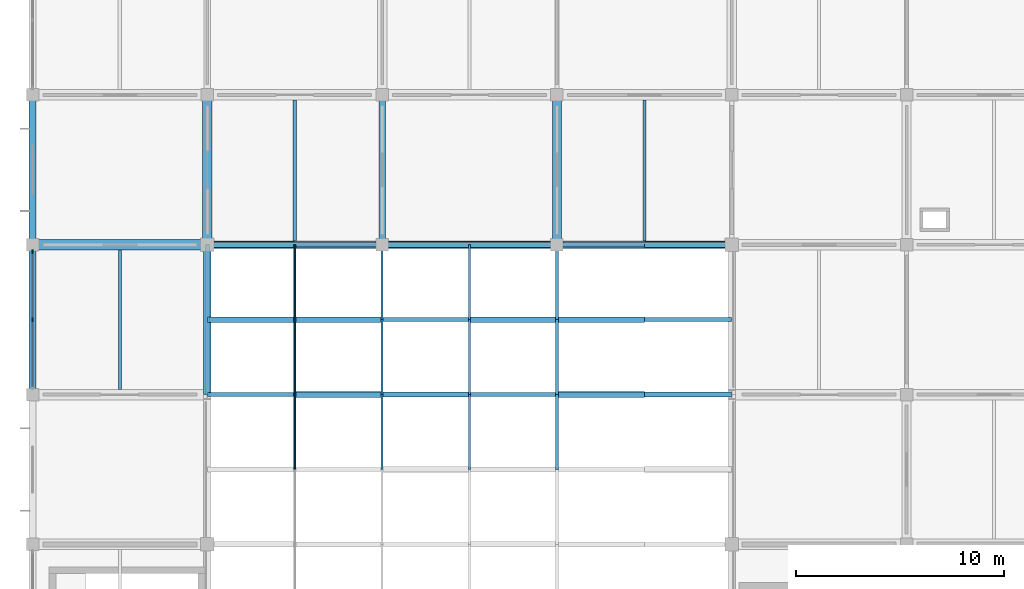
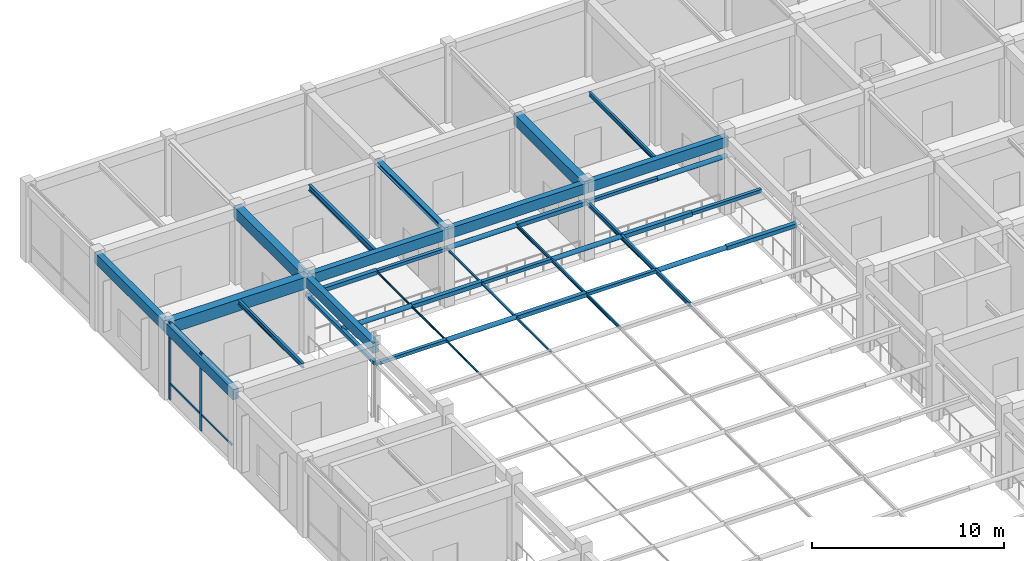
# One storey, part 10 of 38: 35 members, 13 beams, 1 element without a shape of its own.
"""IFC4 building model written with IfcOpenShell, lengths in metres."""

from ifc_helpers import new_model, si_unit, derived_unit, direction, frame, origin, origin_2d, place, context, subcontext, project, spatial, rectangle, hollow_rectangle, hollow_circle, i_section, extrude, material, material_profile, profile_set, type_object, element, aggregate, save


model = new_model("IFC4")

# Units and contexts
model_context = context("Model", 3, precision=1e-05, world=origin(), true_north=direction((0.0, 1.0)))
body_context = subcontext(model_context, "Body", "Model", "MODEL_VIEW")
ifc_project = project(units=[si_unit("LENGTHUNIT", "METRE"), si_unit("AREAUNIT", "SQUARE_METRE"), si_unit("VOLUMEUNIT", "CUBIC_METRE"), si_unit("PLANEANGLEUNIT", "RADIAN"), si_unit("MASSUNIT", "GRAM", prefix="KILO"), derived_unit("THERMALTRANSMITTANCEUNIT", [(si_unit("MASSUNIT", "GRAM", prefix="KILO"), 1), (si_unit("TIMEUNIT", "SECOND"), -3), (si_unit("THERMODYNAMICTEMPERATUREUNIT", "KELVIN"), -1)])], contexts=[model_context])

# Site, building, storey
site_placement = place(None, origin())
site = spatial("IfcSite", under=ifc_project, at=site_placement, CompositionType="ELEMENT")
building_placement = place(site_placement, origin())
building = spatial("IfcBuilding", under=site, at=building_placement, Name="Veldstrom Oceanarium and Marine Research Institute", CompositionType="ELEMENT")
storey_placement = place(building_placement, frame((0.0, 0.0, 16.800048828125)))
storey = spatial("IfcBuildingStorey", under=building, at=storey_placement, Name="L03", CompositionType="ELEMENT", Elevation=16.800048828125)

# Curtain wall, members
ifc_material_1 = material(Name="Anodised Aluminium Framing", Category="aluminium")
curtain_wall_type = type_object("IfcCurtainWallType", Name="ARC-CW-CW06", PredefinedType="USERDEFINED", material=ifc_material_1)
curtain_wall_placement = place(storey_placement, origin())
curtain_wall = element("IfcCurtainWall", 1, at=curtain_wall_placement, inside=storey, type_object=curtain_wall_type, Name="Curtain Wall CW06 CW-L03-047", ObjectType="Curtain wall", PredefinedType="USERDEFINED")
ifc_material_2 = material(Name="Anodised Aluminium Framing", Category="aluminium")
ifc_material_profile_1 = material_profile(ifc_material_2, rectangle(XDim=0.074951171875, YDim=0.179931640625, at=origin_2d()), Name="ALU-MUL-75x180")
ifc_profile_set_1 = profile_set([ifc_material_profile_1], Name="Anodised Aluminium Framing")
member_type_1 = type_object("IfcMemberType", Name="ARC-MUL-ML1", PredefinedType="MULLION", material=ifc_profile_set_1)
member_1_placement = place(storey_placement, frame((8.39990234375, 54.0, 0.0), z_axis=(0.0, 0.0, 1.0), x_axis=(1.0, 0.0, 0.0)))
member_1 = element("IfcMember", 2, at=member_1_placement, type_object=member_type_1, Name="Curtain Wall Mullion CW-L03-047-MUL-2", PredefinedType="MULLION", context=body_context, shape_type="SweptSolid", body=[
    extrude(rectangle(XDim=0.074951171875, YDim=0.179931640625, at=origin_2d()), origin(), (0.0, 0.0, 1.0), 4.949951171875),
])
member_2_placement = place(storey_placement, frame((8.39990234375, 57.260009765625, 0.0), z_axis=(0.0, 0.0, 1.0), x_axis=(1.0, 0.0, 0.0)))
member_2 = element("IfcMember", 3, at=member_2_placement, type_object=member_type_1, Name="Curtain Wall Mullion CW-L03-047-MUL-3", PredefinedType="MULLION", context=body_context, shape_type="SweptSolid", body=[
    extrude(rectangle(XDim=0.074951171875, YDim=0.179931640625, at=origin_2d()), origin(), (0.0, 0.0, 1.0), 4.949951171875),
])
ifc_material_3 = material(Name="Anodised Aluminium Framing", Category="aluminium")
ifc_material_profile_2 = material_profile(ifc_material_3, rectangle(XDim=0.06494140625, YDim=0.1201171875, at=origin_2d()), Name="ALU-TRN-65x120")
ifc_profile_set_2 = profile_set([ifc_material_profile_2], Name="Anodised Aluminium Framing")
member_type_2 = type_object("IfcMemberType", Name="ARC-TRN-TR2", PredefinedType="USERDEFINED", material=ifc_profile_set_2)
member_3_placement = place(storey_placement, frame((8.39990234375, 50.780029296875, 1.050048828125), z_axis=(0.0, 1.0, 0.0), x_axis=(-1.0, 0.0, 0.0)))
member_3 = element("IfcMember", 4, at=member_3_placement, type_object=member_type_2, Name="Curtain Wall Transom CW-L03-047-TRN-1", ObjectType="Transom", PredefinedType="USERDEFINED", context=body_context, shape_type="SweptSolid", body=[
    extrude(rectangle(XDim=0.06494140625, YDim=0.1201171875, at=origin_2d()), origin(), (0.0, 0.0, 1.0), 3.179931640625),
])
member_4_placement = place(storey_placement, frame((8.39990234375, 54.0400390625, 1.050048828125), z_axis=(0.0, 1.0, 0.0), x_axis=(-1.0, 0.0, 0.0)))
member_4 = element("IfcMember", 5, at=member_4_placement, type_object=member_type_2, Name="Curtain Wall Transom CW-L03-047-TRN-2", ObjectType="Transom", PredefinedType="USERDEFINED", context=body_context, shape_type="SweptSolid", body=[
    extrude(rectangle(XDim=0.06494140625, YDim=0.1201171875, at=origin_2d()), origin(), (0.0, 0.0, 1.0), 3.179931640625),
])
aggregate(curtain_wall, [member_1, member_2, member_3, member_4])

# Beams
ifc_material_4 = material(Name="Concrete C40/50", Category="concrete")
ifc_material_profile_3 = material_profile(ifc_material_4, rectangle(XDim=0.5, YDim=0.75, at=origin_2d()), Name="RC-BM-500x750")
ifc_profile_set_3 = profile_set([ifc_material_profile_3], Name="Concrete C40/50")
beam_type_1 = type_object("IfcBeamType", Name="STR-BM-B03", PredefinedType="BEAM", material=ifc_profile_set_3)
beam_1_placement = place(storey_placement, frame((8.39990234375, 57.60009765625, 4.445068359375), z_axis=(1.0, 0.0, 0.0), x_axis=(0.0, 1.0, 0.0)))
element("IfcBeam", 6, at=beam_1_placement, inside=storey, type_object=beam_type_1, Name="Primary Beam B03 L03-1846", PredefinedType="BEAM", context=body_context, shape_type="SweptSolid", body=[
    extrude(rectangle(XDim=0.5, YDim=0.75, at=origin_2d()), origin(), (0.0, 0.0, 1.0), 8.400146484375),
])
ifc_material_5 = material(Name="Concrete C40/50", Category="concrete")
ifc_material_profile_4 = material_profile(ifc_material_5, rectangle(XDim=0.449951171875, YDim=0.699951171875, at=origin_2d()), Name="RC-BM-450x700")
ifc_profile_set_4 = profile_set([ifc_material_profile_4], Name="Concrete C40/50")
beam_type_2 = type_object("IfcBeamType", Name="STR-BM-B04", PredefinedType="BEAM", material=ifc_profile_set_4)
for number, where, z_axis, x_axis, name in (
    (7, (16.800048828125, 57.60009765625, 4.469970703125), (0.0, 1.0, 0.0), (-1.0, 0.0, 0.0), "Primary Beam B04 L03-1964"),
    (8, (33.60009765625, 57.60009765625, 4.469970703125), (0.0, 1.0, 0.0), (-1.0, 0.0, 0.0), "Primary Beam B04 L03-1970"),
):
    element("IfcBeam", number, at=place(storey_placement, frame(where, z_axis=z_axis, x_axis=x_axis)), inside=storey, type_object=beam_type_2, Name=name, PredefinedType="BEAM", context=body_context, shape_type="SweptSolid", body=[
        extrude(rectangle(XDim=0.449951171875, YDim=0.699951171875, at=origin_2d()), origin(), (0.0, 0.0, 1.0), 7.199951171875),
    ])
ifc_material_6 = material(Name="Steel S355JR", Category="steel")
ifc_material_profile_5 = material_profile(ifc_material_6, i_section(OverallWidth=0.300048828125, OverallDepth=0.2900390625, WebThickness=0.008544921875, FlangeThickness=0.013916015625, FilletRadius=0.027099609375, at=origin_2d()), Name="HEA 300")
ifc_profile_set_5 = profile_set([ifc_material_profile_5], Name="Steel S355JR")
beam_type_3 = type_object("IfcBeamType", Name="STR-BM-SB10", PredefinedType="BEAM", material=ifc_profile_set_5)
beam_2_placement = place(storey_placement, frame((25.199951171875, 57.60009765625, 4.675048828125), z_axis=(0.0, 1.0, 0.0), x_axis=(-1.0, 0.0, 0.0)))
element("IfcBeam", 9, at=beam_2_placement, inside=storey, type_object=beam_type_3, Name="Steel Tie Beam SB10 L03-1967", PredefinedType="BEAM", context=body_context, shape_type="SweptSolid", body=[
    extrude(i_section(OverallWidth=0.300048828125, OverallDepth=0.2900390625, WebThickness=0.008544921875, FlangeThickness=0.013916015625, FilletRadius=0.027099609375, at=origin_2d()), origin(), (0.0, 0.0, 1.0), 7.199951171875),
])
ifc_material_7 = material(Name="Steel S355JR", Category="steel")
ifc_material_profile_6 = material_profile(ifc_material_7, i_section(OverallWidth=0.169921875, OverallDepth=0.360107421875, WebThickness=0.008056640625, FlangeThickness=0.0126953125, FilletRadius=0.01806640625, at=origin_2d()), Name="IPE 360")
ifc_profile_set_6 = profile_set([ifc_material_profile_6], Name="Steel S355JR")
beam_type_4 = type_object("IfcBeamType", Name="STR-JST-SJ1", PredefinedType="JOIST", material=ifc_profile_set_6)
beam_3_placement = place(storey_placement, frame((21.0, 57.77490234375, 4.639892578125), z_axis=(0.0, 1.0, 0.0), x_axis=(-1.0, 0.0, 0.0)))
element("IfcBeam", 10, at=beam_3_placement, inside=storey, type_object=beam_type_4, Name="Secondary Joist SJ1 L03-2058", PredefinedType="JOIST", context=body_context, shape_type="SweptSolid", body=[
    extrude(i_section(OverallWidth=0.169921875, OverallDepth=0.360107421875, WebThickness=0.008056640625, FlangeThickness=0.0126953125, FilletRadius=0.01806640625, at=origin_2d()), origin(), (0.0, 0.0, 1.0), 6.775146484375),
])
ifc_material_8 = material(Name="Steel S355JR", Category="steel")
ifc_material_profile_7 = material_profile(ifc_material_8, i_section(OverallWidth=0.14990234375, OverallDepth=0.300048828125, WebThickness=0.007080078125, FlangeThickness=0.0107421875, FilletRadius=0.014892578125, at=origin_2d()), Name="IPE 300")
ifc_profile_set_7 = profile_set([ifc_material_profile_7], Name="Steel S355JR")
beam_type_5 = type_object("IfcBeamType", Name="STR-JST-SJ2", PredefinedType="JOIST", material=ifc_profile_set_7)
beam_4_placement = place(storey_placement, frame((12.60009765625, 50.64990234375, 4.669921875), z_axis=(0.0, 1.0, 0.0), x_axis=(-1.0, 0.0, 0.0)))
element("IfcBeam", 11, at=beam_4_placement, inside=storey, type_object=beam_type_5, Name="Secondary Joist SJ2 L03-2056", PredefinedType="JOIST", context=body_context, shape_type="SweptSolid", body=[
    extrude(i_section(OverallWidth=0.14990234375, OverallDepth=0.300048828125, WebThickness=0.007080078125, FlangeThickness=0.0107421875, FilletRadius=0.014892578125, at=origin_2d()), origin(), (0.0, 0.0, 1.0), 6.7001953125),
])
ifc_material_9 = material(Name="Steel S355JR", Category="steel")
ifc_material_profile_8 = material_profile(ifc_material_9, i_section(OverallWidth=0.135009765625, OverallDepth=0.27001953125, WebThickness=0.006591796875, FlangeThickness=0.01025390625, FilletRadius=0.014892578125, at=origin_2d()), Name="IPE 270")
ifc_profile_set_8 = profile_set([ifc_material_profile_8], Name="Steel S355JR")
beam_type_6 = type_object("IfcBeamType", Name="STR-JST-SJ3", PredefinedType="JOIST", material=ifc_profile_set_8)
beam_5_placement = place(storey_placement, frame((37.800048828125, 57.77490234375, 4.68505859375), z_axis=(0.0, 1.0, 0.0), x_axis=(-1.0, 0.0, 0.0)))
element("IfcBeam", 12, at=beam_5_placement, inside=storey, type_object=beam_type_6, Name="Secondary Joist SJ3 L03-2061", PredefinedType="JOIST", context=body_context, shape_type="SweptSolid", body=[
    extrude(i_section(OverallWidth=0.135009765625, OverallDepth=0.27001953125, WebThickness=0.006591796875, FlangeThickness=0.01025390625, FilletRadius=0.014892578125, at=origin_2d()), origin(), (0.0, 0.0, 1.0), 6.775146484375),
])

# Members
ifc_material_10 = material(Name="Steel S355JR", Category="steel")
ifc_material_profile_9 = material_profile(ifc_material_10, hollow_rectangle(XDim=0.25, YDim=0.25, WallThickness=0.012451171875, at=origin_2d()), Name="SHS 250x250x12.5")
ifc_profile_set_9 = profile_set([ifc_material_profile_9], Name="Steel S355JR")
member_type_3 = type_object("IfcMemberType", Name="STR-MEM-CH1", PredefinedType="CHORD", material=ifc_profile_set_9)
for number, where, z_axis, x_axis, name in (
    (13, (25.199951171875, 50.39990234375, 3.5), (1.0, 0.0, 0.0), (0.0, 1.0, 0.0), "Truss Bottom Chord RT11-3"),
    (14, (37.800048828125, 50.39990234375, 3.5), (1.0, 0.0, 0.0), (0.0, 1.0, 0.0), "Truss Bottom Chord RT11-6"),
    (15, (21.0, 54.0, 3.5), (1.0, 0.0, 0.0), (0.0, 1.0, 0.0), "Truss Bottom Chord RT12-2"),
    (16, (33.60009765625, 54.0, 3.5), (1.0, 0.0, 0.0), (0.0, 1.0, 0.0), "Truss Bottom Chord RT12-5"),
    (17, (16.800048828125, 57.60009765625, 3.5), (1.0, 0.0, 0.0), (0.0, 1.0, 0.0), "Truss Bottom Chord RT13-1"),
):
    element("IfcMember", number, at=place(storey_placement, frame(where, z_axis=z_axis, x_axis=x_axis)), inside=storey, type_object=member_type_3, Name=name, PredefinedType="CHORD", context=body_context, shape_type="SweptSolid", body=[
        extrude(hollow_rectangle(XDim=0.25, YDim=0.25, WallThickness=0.012451171875, at=origin_2d()), origin(), (0.0, 0.0, 1.0), 4.199951171875),
    ])
member_5_placement = place(storey_placement, frame((29.39990234375, 57.60009765625, 3.5), z_axis=(1.0, 0.0, 0.0), x_axis=(0.0, 1.0, 0.0)))
element("IfcMember", 18, at=member_5_placement, inside=storey, type_object=member_type_3, Name="Truss Bottom Chord RT13-4", PredefinedType="CHORD", context=body_context, shape_type="SweptSolid", body=[
    extrude(hollow_rectangle(XDim=0.25, YDim=0.25, WallThickness=0.012451171875, at=origin_2d()), origin(), (0.0, 0.0, 1.0), 4.2001953125),
])
ifc_material_11 = material(Name="Steel S355JR", Category="steel")
ifc_material_profile_10 = material_profile(ifc_material_11, hollow_rectangle(XDim=0.199951171875, YDim=0.199951171875, WallThickness=0.012451171875, at=origin_2d()), Name="SHS 200x200x12.5")
ifc_profile_set_10 = profile_set([ifc_material_profile_10], Name="Steel S355JR")
member_type_4 = type_object("IfcMemberType", Name="STR-MEM-CH2", PredefinedType="CHORD", material=ifc_profile_set_10)
member_6_placement = place(storey_placement, frame((16.800048828125, 50.39990234375, 3.5), z_axis=(1.0, 0.0, 0.0), x_axis=(0.0, 1.0, 0.0)))
element("IfcMember", 19, at=member_6_placement, inside=storey, type_object=member_type_4, Name="Truss Bottom Chord RT11-1", PredefinedType="CHORD", context=body_context, shape_type="SweptSolid", body=[
    extrude(hollow_rectangle(XDim=0.199951171875, YDim=0.199951171875, WallThickness=0.012451171875, at=origin_2d()), origin(), (0.0, 0.0, 1.0), 4.199951171875),
])
member_7_placement = place(storey_placement, frame((29.39990234375, 50.39990234375, 3.5), z_axis=(1.0, 0.0, 0.0), x_axis=(0.0, 1.0, 0.0)))
element("IfcMember", 20, at=member_7_placement, inside=storey, type_object=member_type_4, Name="Truss Bottom Chord RT11-4", PredefinedType="CHORD", context=body_context, shape_type="SweptSolid", body=[
    extrude(hollow_rectangle(XDim=0.199951171875, YDim=0.199951171875, WallThickness=0.012451171875, at=origin_2d()), origin(), (0.0, 0.0, 1.0), 4.2001953125),
])
for number, where, z_axis, x_axis, name in (
    (21, (25.199951171875, 54.0, 3.5), (1.0, 0.0, 0.0), (0.0, 1.0, 0.0), "Truss Bottom Chord RT12-3"),
    (22, (37.800048828125, 54.0, 3.5), (1.0, 0.0, 0.0), (0.0, 1.0, 0.0), "Truss Bottom Chord RT12-6"),
    (23, (21.0, 57.60009765625, 3.5), (1.0, 0.0, 0.0), (0.0, 1.0, 0.0), "Truss Bottom Chord RT13-2"),
    (24, (33.60009765625, 57.60009765625, 3.5), (1.0, 0.0, 0.0), (0.0, 1.0, 0.0), "Truss Bottom Chord RT13-5"),
):
    element("IfcMember", number, at=place(storey_placement, frame(where, z_axis=z_axis, x_axis=x_axis)), inside=storey, type_object=member_type_4, Name=name, PredefinedType="CHORD", context=body_context, shape_type="SweptSolid", body=[
        extrude(hollow_rectangle(XDim=0.199951171875, YDim=0.199951171875, WallThickness=0.012451171875, at=origin_2d()), origin(), (0.0, 0.0, 1.0), 4.199951171875),
    ])
member_8_placement = place(storey_placement, frame((16.800048828125, 50.39990234375, 3.5), z_axis=(0.0, 1.0, 0.0), x_axis=(-1.0, 0.0, 0.0)))
element("IfcMember", 25, at=member_8_placement, inside=storey, type_object=member_type_4, Name="Hall Truss Bottom Longitudinal Tie 3/H", PredefinedType="CHORD", context=body_context, shape_type="SweptSolid", body=[
    extrude(hollow_rectangle(XDim=0.199951171875, YDim=0.199951171875, WallThickness=0.012451171875, at=origin_2d()), origin(), (0.0, 0.0, 1.0), 7.2001953125),
])
ifc_material_12 = material(Name="Steel S355JR", Category="steel")
ifc_material_profile_11 = material_profile(ifc_material_12, hollow_circle(Radius=0.136474609375, WallThickness=0.012451171875, at=origin_2d()), Name="CHS 273x12.5")
ifc_profile_set_11 = profile_set([ifc_material_profile_11], Name="Steel S355JR")
member_type_5 = type_object("IfcMemberType", Name="STR-MEM-CH3", PredefinedType="CHORD", material=ifc_profile_set_11)
for number, where, z_axis, x_axis, name in (
    (26, (21.0, 50.39990234375, 3.5), (1.0, 0.0, 0.0), (0.0, 1.0, 0.0), "Truss Bottom Chord RT11-2"),
    (27, (33.60009765625, 50.39990234375, 3.5), (1.0, 0.0, 0.0), (0.0, 1.0, 0.0), "Truss Bottom Chord RT11-5"),
    (28, (16.800048828125, 54.0, 3.5), (1.0, 0.0, 0.0), (0.0, 1.0, 0.0), "Truss Bottom Chord RT12-1"),
):
    element("IfcMember", number, at=place(storey_placement, frame(where, z_axis=z_axis, x_axis=x_axis)), inside=storey, type_object=member_type_5, Name=name, PredefinedType="CHORD", context=body_context, shape_type="SweptSolid", body=[
        extrude(hollow_circle(Radius=0.136474609375, WallThickness=0.012451171875, at=origin_2d()), origin(), (0.0, 0.0, 1.0), 4.199951171875),
    ])
member_9_placement = place(storey_placement, frame((29.39990234375, 54.0, 3.5), z_axis=(1.0, 0.0, 0.0), x_axis=(0.0, 1.0, 0.0)))
element("IfcMember", 29, at=member_9_placement, inside=storey, type_object=member_type_5, Name="Truss Bottom Chord RT12-4", PredefinedType="CHORD", context=body_context, shape_type="SweptSolid", body=[
    extrude(hollow_circle(Radius=0.136474609375, WallThickness=0.012451171875, at=origin_2d()), origin(), (0.0, 0.0, 1.0), 4.2001953125),
])
for number, where, z_axis, x_axis, name in (
    (30, (25.199951171875, 57.60009765625, 3.5), (1.0, 0.0, 0.0), (0.0, 1.0, 0.0), "Truss Bottom Chord RT13-3"),
    (31, (37.800048828125, 57.60009765625, 3.5), (1.0, 0.0, 0.0), (0.0, 1.0, 0.0), "Truss Bottom Chord RT13-6"),
):
    element("IfcMember", number, at=place(storey_placement, frame(where, z_axis=z_axis, x_axis=x_axis)), inside=storey, type_object=member_type_5, Name=name, PredefinedType="CHORD", context=body_context, shape_type="SweptSolid", body=[
        extrude(hollow_circle(Radius=0.136474609375, WallThickness=0.012451171875, at=origin_2d()), origin(), (0.0, 0.0, 1.0), 4.199951171875),
    ])
ifc_material_13 = material(Name="Steel S355JR", Category="steel")
ifc_material_profile_12 = material_profile(ifc_material_13, i_section(OverallWidth=0.10009765625, OverallDepth=0.199951171875, WebThickness=0.005615234375, FlangeThickness=0.008544921875, FilletRadius=0.011962890625, at=origin_2d()), Name="IPE 200")
ifc_profile_set_12 = profile_set([ifc_material_profile_12], Name="Steel S355JR")
member_type_6 = type_object("IfcMemberType", Name="STR-MEM-PR2", PredefinedType="PURLIN", material=ifc_profile_set_12)
member_10_placement = place(storey_placement, frame((29.39990234375, 46.800048828125, 3.5), z_axis=(0.0, 1.0, 0.0), x_axis=(-1.0, 0.0, 0.0)))
element("IfcMember", 32, at=member_10_placement, inside=storey, type_object=member_type_6, Name="Hall Truss Longitudinal Strut Tie ST-10-3", PredefinedType="PURLIN", context=body_context, shape_type="SweptSolid", body=[
    extrude(i_section(OverallWidth=0.10009765625, OverallDepth=0.199951171875, WebThickness=0.005615234375, FlangeThickness=0.008544921875, FilletRadius=0.011962890625, at=origin_2d()), origin(), (0.0, 0.0, 1.0), 3.599853515625),
])
for number, where, z_axis, x_axis, name in (
    (33, (29.39990234375, 50.39990234375, 3.5), (0.0, 1.0, 0.0), (-1.0, 0.0, 0.0), "Hall Truss Longitudinal Strut Tie ST-11-3"),
    (34, (29.39990234375, 54.0, 3.5), (0.0, 1.0, 0.0), (-1.0, 0.0, 0.0), "Hall Truss Longitudinal Strut Tie ST-12-3"),
):
    element("IfcMember", number, at=place(storey_placement, frame(where, z_axis=z_axis, x_axis=x_axis)), inside=storey, type_object=member_type_6, Name=name, PredefinedType="PURLIN", context=body_context, shape_type="SweptSolid", body=[
        extrude(i_section(OverallWidth=0.10009765625, OverallDepth=0.199951171875, WebThickness=0.005615234375, FlangeThickness=0.008544921875, FilletRadius=0.011962890625, at=origin_2d()), origin(), (0.0, 0.0, 1.0), 3.60009765625),
    ])
ifc_material_14 = material(Name="Steel S355JR", Category="steel")
ifc_material_profile_13 = material_profile(ifc_material_14, i_section(OverallWidth=0.135009765625, OverallDepth=0.27001953125, WebThickness=0.006591796875, FlangeThickness=0.01025390625, FilletRadius=0.014892578125, at=origin_2d()), Name="IPE 270")
ifc_profile_set_13 = profile_set([ifc_material_profile_13], Name="Steel S355JR")
member_type_7 = type_object("IfcMemberType", Name="STR-MEM-RF2", PredefinedType="RAFTER", material=ifc_profile_set_13)
member_11_placement = place(storey_placement, frame((33.60009765625, 46.800048828125, 3.5), z_axis=(0.0, 1.0, 0.0), x_axis=(-1.0, 0.0, 0.0)))
element("IfcMember", 35, at=member_11_placement, inside=storey, type_object=member_type_7, Name="Hall Truss Longitudinal Strut Tie ST-10-4", PredefinedType="RAFTER", context=body_context, shape_type="SweptSolid", body=[
    extrude(i_section(OverallWidth=0.135009765625, OverallDepth=0.27001953125, WebThickness=0.006591796875, FlangeThickness=0.01025390625, FilletRadius=0.014892578125, at=origin_2d()), origin(), (0.0, 0.0, 1.0), 3.599853515625),
])
for number, where, z_axis, x_axis, name in (
    (36, (33.60009765625, 50.39990234375, 3.5), (0.0, 1.0, 0.0), (-1.0, 0.0, 0.0), "Hall Truss Longitudinal Strut Tie ST-11-4"),
    (37, (33.60009765625, 54.0, 3.5), (0.0, 1.0, 0.0), (-1.0, 0.0, 0.0), "Hall Truss Longitudinal Strut Tie ST-12-4"),
):
    element("IfcMember", number, at=place(storey_placement, frame(where, z_axis=z_axis, x_axis=x_axis)), inside=storey, type_object=member_type_7, Name=name, PredefinedType="RAFTER", context=body_context, shape_type="SweptSolid", body=[
        extrude(i_section(OverallWidth=0.135009765625, OverallDepth=0.27001953125, WebThickness=0.006591796875, FlangeThickness=0.01025390625, FilletRadius=0.014892578125, at=origin_2d()), origin(), (0.0, 0.0, 1.0), 3.60009765625),
    ])
ifc_material_15 = material(Name="Steel S355JR", Category="steel")
ifc_material_profile_14 = material_profile(ifc_material_15, hollow_circle(Radius=0.05712890625, WallThickness=0.00634765625, at=origin_2d()), Name="CHS 114.3x6.3")
ifc_profile_set_14 = profile_set([ifc_material_profile_14], Name="Steel S355JR")
member_type_8 = type_object("IfcMemberType", Name="STR-MEM-ST1", PredefinedType="STRUT", material=ifc_profile_set_14)
member_12_placement = place(storey_placement, frame((21.0, 46.800048828125, 3.5), z_axis=(0.0, 1.0, 0.0), x_axis=(-1.0, 0.0, 0.0)))
element("IfcMember", 38, at=member_12_placement, inside=storey, type_object=member_type_8, Name="Hall Truss Longitudinal Strut Tie ST-10-1", PredefinedType="STRUT", context=body_context, shape_type="SweptSolid", body=[
    extrude(hollow_circle(Radius=0.05712890625, WallThickness=0.00634765625, at=origin_2d()), origin(), (0.0, 0.0, 1.0), 3.599853515625),
])
for number, where, z_axis, x_axis, name in (
    (39, (21.0, 50.39990234375, 3.5), (0.0, 1.0, 0.0), (-1.0, 0.0, 0.0), "Hall Truss Longitudinal Strut Tie ST-11-1"),
    (40, (21.0, 54.0, 3.5), (0.0, 1.0, 0.0), (-1.0, 0.0, 0.0), "Hall Truss Longitudinal Strut Tie ST-12-1"),
):
    element("IfcMember", number, at=place(storey_placement, frame(where, z_axis=z_axis, x_axis=x_axis)), inside=storey, type_object=member_type_8, Name=name, PredefinedType="STRUT", context=body_context, shape_type="SweptSolid", body=[
        extrude(hollow_circle(Radius=0.05712890625, WallThickness=0.00634765625, at=origin_2d()), origin(), (0.0, 0.0, 1.0), 3.60009765625),
    ])
ifc_material_16 = material(Name="Steel S355JR", Category="steel")
ifc_material_profile_15 = material_profile(ifc_material_16, hollow_rectangle(XDim=0.10009765625, YDim=0.10009765625, WallThickness=0.006103515625, at=origin_2d()), Name="SHS 100x100x6")
ifc_profile_set_15 = profile_set([ifc_material_profile_15], Name="Steel S355JR")
member_type_9 = type_object("IfcMemberType", Name="STR-MEM-ST2", PredefinedType="STRUT", material=ifc_profile_set_15)
member_13_placement = place(storey_placement, frame((25.199951171875, 46.800048828125, 3.5), z_axis=(0.0, 1.0, 0.0), x_axis=(-1.0, 0.0, 0.0)))
element("IfcMember", 41, at=member_13_placement, inside=storey, type_object=member_type_9, Name="Hall Truss Longitudinal Strut Tie ST-10-2", PredefinedType="STRUT", context=body_context, shape_type="SweptSolid", body=[
    extrude(hollow_rectangle(XDim=0.10009765625, YDim=0.10009765625, WallThickness=0.006103515625, at=origin_2d()), origin(), (0.0, 0.0, 1.0), 3.599853515625),
])
for number, where, z_axis, x_axis, name in (
    (42, (25.199951171875, 50.39990234375, 3.5), (0.0, 1.0, 0.0), (-1.0, 0.0, 0.0), "Hall Truss Longitudinal Strut Tie ST-11-2"),
    (43, (25.199951171875, 54.0, 3.5), (0.0, 1.0, 0.0), (-1.0, 0.0, 0.0), "Hall Truss Longitudinal Strut Tie ST-12-2"),
):
    element("IfcMember", number, at=place(storey_placement, frame(where, z_axis=z_axis, x_axis=x_axis)), inside=storey, type_object=member_type_9, Name=name, PredefinedType="STRUT", context=body_context, shape_type="SweptSolid", body=[
        extrude(hollow_rectangle(XDim=0.10009765625, YDim=0.10009765625, WallThickness=0.006103515625, at=origin_2d()), origin(), (0.0, 0.0, 1.0), 3.60009765625),
    ])

# Beams
ifc_material_17 = material(Name="Concrete C40/50", Category="concrete")
ifc_material_profile_16 = material_profile(ifc_material_17, rectangle(XDim=0.35009765625, YDim=0.64990234375, at=origin_2d()), Name="RC-SPN-350x650")
ifc_profile_set_16 = profile_set([ifc_material_profile_16], Name="Concrete C40/50")
beam_type_7 = type_object("IfcBeamType", Name="STR-SPN-SP1", PredefinedType="SPANDREL", material=ifc_profile_set_16)
beam_6_placement = place(storey_placement, frame((16.800048828125, 57.60009765625, 4.494873046875), z_axis=(1.0, 0.0, 0.0), x_axis=(0.0, 1.0, 0.0)))
element("IfcBeam", 44, at=beam_6_placement, inside=storey, type_object=beam_type_7, Name="Perimeter Spandrel SPB1 L03-1851", PredefinedType="SPANDREL", context=body_context, shape_type="SweptSolid", body=[
    extrude(rectangle(XDim=0.35009765625, YDim=0.64990234375, at=origin_2d()), origin(), (0.0, 0.0, 1.0), 8.39990234375),
])
beam_7_placement = place(storey_placement, frame((25.199951171875, 57.60009765625, 4.494873046875), z_axis=(1.0, 0.0, 0.0), x_axis=(0.0, 1.0, 0.0)))
element("IfcBeam", 45, at=beam_7_placement, inside=storey, type_object=beam_type_7, Name="Perimeter Spandrel SPB1 L03-1856", PredefinedType="SPANDREL", context=body_context, shape_type="SweptSolid", body=[
    extrude(rectangle(XDim=0.35009765625, YDim=0.64990234375, at=origin_2d()), origin(), (0.0, 0.0, 1.0), 8.400146484375),
])
beam_8_placement = place(storey_placement, frame((33.60009765625, 57.60009765625, 4.494873046875), z_axis=(1.0, 0.0, 0.0), x_axis=(0.0, 1.0, 0.0)))
element("IfcBeam", 46, at=beam_8_placement, inside=storey, type_object=beam_type_7, Name="Perimeter Spandrel SPB1 L03-1861", PredefinedType="SPANDREL", context=body_context, shape_type="SweptSolid", body=[
    extrude(rectangle(XDim=0.35009765625, YDim=0.64990234375, at=origin_2d()), origin(), (0.0, 0.0, 1.0), 8.39990234375),
])
beam_9_placement = place(storey_placement, frame((8.39990234375, 50.39990234375, 4.494873046875), z_axis=(0.0, 1.0, 0.0), x_axis=(-1.0, 0.0, 0.0)))
element("IfcBeam", 47, at=beam_9_placement, inside=storey, type_object=beam_type_7, Name="Perimeter Spandrel SPB1 L03-1954", PredefinedType="SPANDREL", context=body_context, shape_type="SweptSolid", body=[
    extrude(rectangle(XDim=0.35009765625, YDim=0.64990234375, at=origin_2d()), origin(), (0.0, 0.0, 1.0), 7.2001953125),
])
beam_10_placement = place(storey_placement, frame((8.39990234375, 57.60009765625, 4.494873046875), z_axis=(0.0, 1.0, 0.0), x_axis=(-1.0, 0.0, 0.0)))
element("IfcBeam", 48, at=beam_10_placement, inside=storey, type_object=beam_type_7, Name="Perimeter Spandrel SPB1 L03-1955", PredefinedType="SPANDREL", context=body_context, shape_type="SweptSolid", body=[
    extrude(rectangle(XDim=0.35009765625, YDim=0.64990234375, at=origin_2d()), origin(), (0.0, 0.0, 1.0), 7.199951171875),
])
beam_11_placement = place(storey_placement, frame((16.800048828125, 50.39990234375, 4.494873046875), z_axis=(0.0, 1.0, 0.0), x_axis=(-1.0, 0.0, 0.0)))
element("IfcBeam", 49, at=beam_11_placement, inside=storey, type_object=beam_type_7, Name="Perimeter Spandrel SPB1 L03-1963", PredefinedType="SPANDREL", context=body_context, shape_type="SweptSolid", body=[
    extrude(rectangle(XDim=0.35009765625, YDim=0.64990234375, at=origin_2d()), origin(), (0.0, 0.0, 1.0), 7.2001953125),
])

save(model, "model.ifc")
